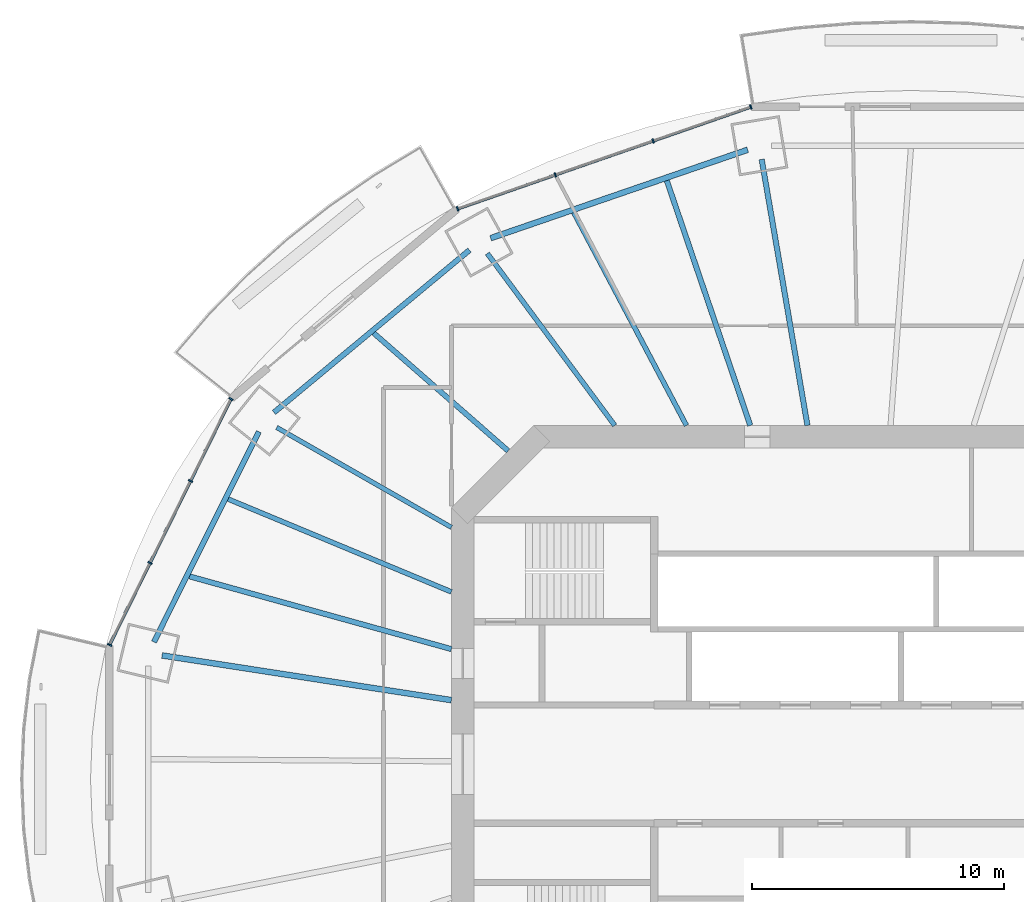
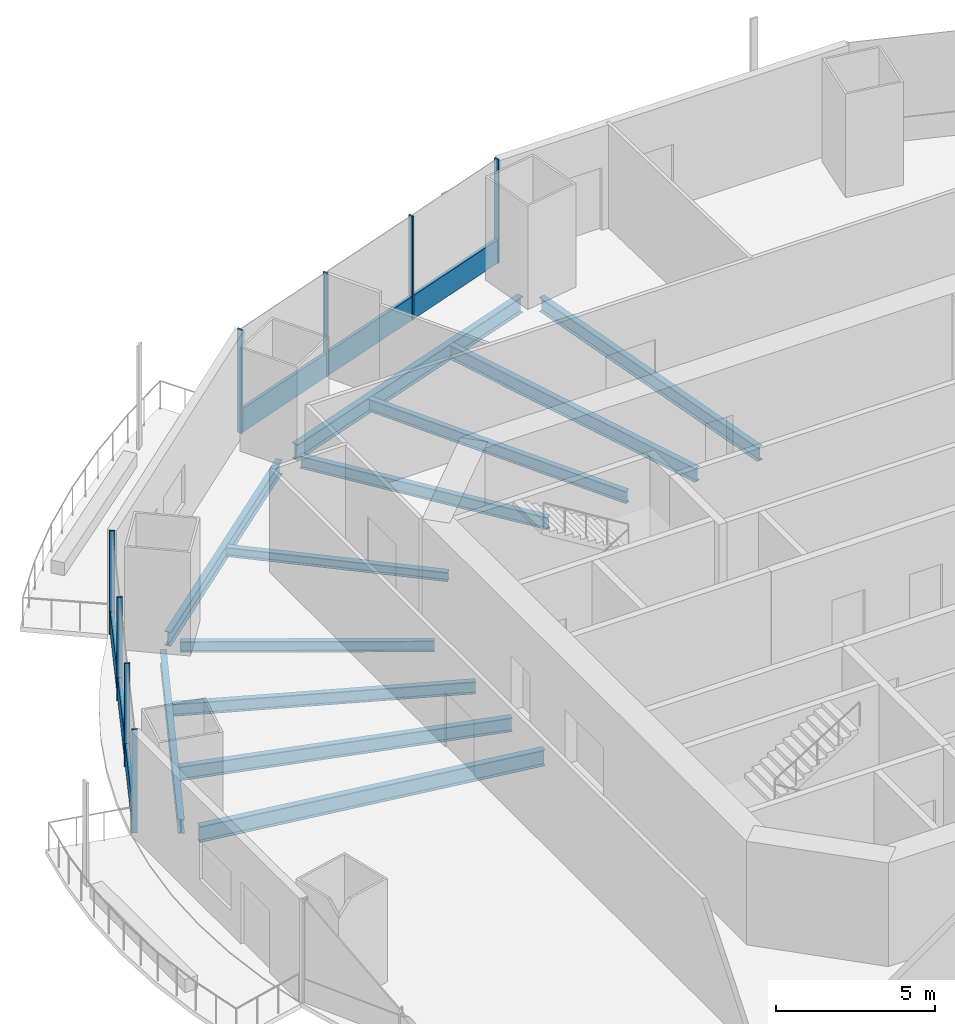
# One storey, part 6 of 20: 12 beams, 10 members, 2 elements without a shape of their own.
"""IFC4 building model written with IfcOpenShell, lengths in metres."""

from ifc_helpers import new_model, si_unit, direction, frame, origin, origin_2d, place, context, subcontext, project, spatial, rectangle, i_section, extrude, material, material_profile, profile_set, type_object, element, aggregate, save


model = new_model("IFC4")

# Units and contexts
model_context = context("Model", 3, precision=1e-05, world=origin(), true_north=direction((0.0, 1.0)))
body_context = subcontext(model_context, "Body", "Model", "MODEL_VIEW")
ifc_project = project(units=[si_unit("LENGTHUNIT", "METRE"), si_unit("AREAUNIT", "SQUARE_METRE"), si_unit("VOLUMEUNIT", "CUBIC_METRE"), si_unit("PLANEANGLEUNIT", "RADIAN"), si_unit("MASSUNIT", "GRAM", prefix="KILO")], contexts=[model_context])

# Site, building, storey
site_placement = place(None, origin())
site = spatial("IfcSite", under=ifc_project, at=site_placement, CompositionType="ELEMENT")
building_placement = place(site_placement, origin())
building = spatial("IfcBuilding", under=site, at=building_placement, Name="Marenthal Gate Tower", CompositionType="ELEMENT")
storey_placement = place(building_placement, frame((0.0, 0.0, 181.800048828125)))
storey = spatial("IfcBuildingStorey", under=building, at=storey_placement, Name="L39", CompositionType="ELEMENT", Elevation=181.800048828125)

# Curtain wall, members
ifc_material_1 = material(Name="Aluminium and glass", Category="aluminium")
curtain_wall_type = type_object("IfcCurtainWallType", Name="Curtain wall typical mid", PredefinedType="NOTDEFINED", material=ifc_material_1)
curtain_wall_1_placement = place(storey_placement, origin())
curtain_wall_1 = element("IfcCurtainWall", 1, at=curtain_wall_1_placement, inside=storey, type_object=curtain_wall_type, Name="Curtain wall L39 bay 5", PredefinedType="NOTDEFINED")
ifc_material_2 = material(Name="Aluminium", Category="aluminium")
ifc_material_profile_1 = material_profile(ifc_material_2, rectangle(XDim=0.179931640625, YDim=0.06005859375, at=origin_2d()), Name="60x180 aluminium mullion")
ifc_profile_set_1 = profile_set([ifc_material_profile_1], Name="Aluminium")
member_type_1 = type_object("IfcMemberType", Name="Mullion 60x180 typical mid", PredefinedType="MULLION", material=ifc_profile_set_1)
member_1_placement = place(storey_placement, frame((-4.560302734375, 26.093017578125, 0.0), z_axis=(0.0, 0.0, 1.0), x_axis=(0.32821091538, -0.944604464856, 0.0)))
member_1 = element("IfcMember", 2, at=member_1_placement, type_object=member_type_1, Name="Mullion L39 bay 5.1", PredefinedType="MULLION", context=body_context, shape_type="SweptSolid", body=[
    extrude(rectangle(XDim=0.179931640625, YDim=0.06005859375, at=origin_2d()), origin(), (0.0, 0.0, 1.0), 3.969970703125),
])
member_2_placement = place(storey_placement, frame((-8.44140625, 24.74462890625, 0.0), z_axis=(0.0, 0.0, 1.0), x_axis=(0.32821091538, -0.944604464856, 0.0)))
member_2 = element("IfcMember", 3, at=member_2_placement, type_object=member_type_1, Name="Mullion L39 bay 5.2", PredefinedType="MULLION", context=body_context, shape_type="SweptSolid", body=[
    extrude(rectangle(XDim=0.179931640625, YDim=0.06005859375, at=origin_2d()), origin(), (0.0, 0.0, 1.0), 3.969970703125),
])
member_3_placement = place(storey_placement, frame((-12.322509765625, 23.39599609375, 0.0), z_axis=(0.0, 0.0, 1.0), x_axis=(0.32821091538, -0.944604464856, 0.0)))
member_3 = element("IfcMember", 4, at=member_3_placement, type_object=member_type_1, Name="Mullion L39 bay 5.3", PredefinedType="MULLION", context=body_context, shape_type="SweptSolid", body=[
    extrude(rectangle(XDim=0.179931640625, YDim=0.06005859375, at=origin_2d()), origin(), (0.0, 0.0, 1.0), 3.969970703125),
])
member_4_placement = place(storey_placement, frame((-16.20361328125, 22.04736328125, 0.0), z_axis=(0.0, 0.0, 1.0), x_axis=(0.32821091538, -0.944604464856, 0.0)))
member_4 = element("IfcMember", 5, at=member_4_placement, type_object=member_type_1, Name="Mullion L39 bay 5.4", PredefinedType="MULLION", context=body_context, shape_type="SweptSolid", body=[
    extrude(rectangle(XDim=0.179931640625, YDim=0.06005859375, at=origin_2d()), origin(), (0.0, 0.0, 1.0), 3.969970703125),
])

curtain_wall_2_placement = place(storey_placement, origin())
curtain_wall_2 = element("IfcCurtainWall", 6, at=curtain_wall_2_placement, inside=storey, type_object=curtain_wall_type, Name="Curtain wall L39 bay 7", PredefinedType="NOTDEFINED")
member_5_placement = place(storey_placement, frame((-25.2001953125, 14.4990234375, 0.0), z_axis=(0.0, 0.0, 1.0), x_axis=(0.89664343149, -0.442753381428, 0.0)))
member_5 = element("IfcMember", 7, at=member_5_placement, type_object=member_type_1, Name="Mullion L39 bay 7.1", PredefinedType="MULLION", context=body_context, shape_type="SweptSolid", body=[
    extrude(rectangle(XDim=0.179931640625, YDim=0.06005859375, at=origin_2d()), origin(), (0.0, 0.0, 1.0), 3.969970703125),
])
member_6_placement = place(storey_placement, frame((-26.806884765625, 11.24560546875, 0.0), z_axis=(0.0, 0.0, 1.0), x_axis=(0.89664343149, -0.442753381428, 0.0)))
member_6 = element("IfcMember", 8, at=member_6_placement, type_object=member_type_1, Name="Mullion L39 bay 7.2", PredefinedType="MULLION", context=body_context, shape_type="SweptSolid", body=[
    extrude(rectangle(XDim=0.179931640625, YDim=0.06005859375, at=origin_2d()), origin(), (0.0, 0.0, 1.0), 3.969970703125),
])
member_7_placement = place(storey_placement, frame((-28.413330078125, 7.991943359375, 0.0), z_axis=(0.0, 0.0, 1.0), x_axis=(0.89664343149, -0.442753381428, 0.0)))
member_7 = element("IfcMember", 9, at=member_7_placement, type_object=member_type_1, Name="Mullion L39 bay 7.3", PredefinedType="MULLION", context=body_context, shape_type="SweptSolid", body=[
    extrude(rectangle(XDim=0.179931640625, YDim=0.06005859375, at=origin_2d()), origin(), (0.0, 0.0, 1.0), 3.969970703125),
])
member_8_placement = place(storey_placement, frame((-30.02001953125, 4.738525390625, 0.0), z_axis=(0.0, 0.0, 1.0), x_axis=(0.89664343149, -0.442753381428, 0.0)))
member_8 = element("IfcMember", 10, at=member_8_placement, type_object=member_type_1, Name="Mullion L39 bay 7.4", PredefinedType="MULLION", context=body_context, shape_type="SweptSolid", body=[
    extrude(rectangle(XDim=0.179931640625, YDim=0.06005859375, at=origin_2d()), origin(), (0.0, 0.0, 1.0), 3.969970703125),
])

# Member
ifc_material_3 = material(Name="Aluminium", Category="aluminium")
ifc_material_profile_2 = material_profile(ifc_material_3, rectangle(XDim=0.1201171875, YDim=0.89990234375, at=origin_2d()), Name="120x900 aluminium transom")
ifc_profile_set_2 = profile_set([ifc_material_profile_2], Name="Aluminium")
member_type_2 = type_object("IfcMemberType", Name="Transom 120x900 typical mid", PredefinedType="USERDEFINED", material=ifc_profile_set_2)
member_9_placement = place(storey_placement, frame((-4.588623046875, 26.083251953125, 0.449951171875), z_axis=(-0.944604688319, -0.328210272243, 0.0), x_axis=(0.328210272243, -0.944604688319, 0.0)))
member_9 = element("IfcMember", 11, at=member_9_placement, type_object=member_type_2, Name="Transom L39 bay 5", ObjectType="TRANSOM", PredefinedType="USERDEFINED", context=body_context, shape_type="SweptSolid", body=[
    extrude(rectangle(XDim=0.1201171875, YDim=0.89990234375, at=origin_2d()), origin(), (0.0, 0.0, 1.0), 12.26611328125),
])

aggregate(curtain_wall_1, [member_1, member_2, member_3, member_4, member_9])

member_10_placement = place(storey_placement, frame((-25.213623046875, 14.47216796875, 0.449951171875), z_axis=(-0.442760838876, -0.896639749039, 0.0), x_axis=(0.896639749039, -0.442760838876, 0.0)))
member_10 = element("IfcMember", 12, at=member_10_placement, type_object=member_type_2, Name="Transom L39 bay 7", ObjectType="TRANSOM", PredefinedType="USERDEFINED", context=body_context, shape_type="SweptSolid", body=[
    extrude(rectangle(XDim=0.1201171875, YDim=0.89990234375, at=origin_2d()), origin(), (0.0, 0.0, 1.0), 10.82568359375),
])

aggregate(curtain_wall_2, [member_5, member_6, member_7, member_8, member_10])

# Beams
ifc_material_4 = material(Name="Steel S355", Category="steel")
ifc_material_profile_3 = material_profile(ifc_material_4, i_section(OverallWidth=0.205078125, OverallDepth=0.35302734375, WebThickness=0.009521484375, FlangeThickness=0.016845703125, FilletRadius=0.014892578125, at=origin_2d()), Name="W360X79")
ifc_profile_set_3 = profile_set([ifc_material_profile_3], Name="Steel S355")
beam_type_1 = type_object("IfcBeamType", Name="W360X79 beam", PredefinedType="BEAM", material=ifc_profile_set_3)
beam_1_placement = place(storey_placement, frame((-19.533203125, 17.115234375, -0.3564453125), z_axis=(0.752145945083, -0.6589965685, 0.0), x_axis=(0.6589965685, 0.752145945083, 0.0)))
element("IfcBeam", 13, at=beam_1_placement, inside=storey, type_object=beam_type_1, Name="BM-L39-25", PredefinedType="BEAM", context=body_context, shape_type="SweptSolid", body=[
    extrude(i_section(OverallWidth=0.205078125, OverallDepth=0.35302734375, WebThickness=0.009521484375, FlangeThickness=0.016845703125, FilletRadius=0.014892578125, at=origin_2d()), origin(), (0.0, 0.0, 1.0), 7.094970703125),
])
ifc_material_5 = material(Name="Steel S355", Category="steel")
ifc_material_profile_4 = material_profile(ifc_material_5, i_section(OverallWidth=0.180908203125, OverallDepth=0.4169921875, WebThickness=0.010986328125, FlangeThickness=0.018310546875, FilletRadius=0.01025390625, at=origin_2d()), Name="W410X85")
ifc_profile_set_4 = profile_set([ifc_material_profile_4], Name="Steel S355")
beam_type_2 = type_object("IfcBeamType", Name="W410X85 beam", PredefinedType="BEAM", material=ifc_profile_set_4)
beam_2_placement = place(storey_placement, frame((-23.38427734375, 13.36865234375, -0.388427734375), z_axis=(0.868141553632, -0.496316675981, 0.0), x_axis=(0.496316675981, 0.868141553632, 0.0)))
element("IfcBeam", 14, at=beam_2_placement, inside=storey, type_object=beam_type_2, Name="BM-L39-07", PredefinedType="BEAM", context=body_context, shape_type="SweptSolid", body=[
    extrude(i_section(OverallWidth=0.180908203125, OverallDepth=0.4169921875, WebThickness=0.010986328125, FlangeThickness=0.018310546875, FilletRadius=0.01025390625, at=origin_2d()), origin(), (0.0, 0.0, 1.0), 7.987548828125),
])
ifc_material_6 = material(Name="Steel S355", Category="steel")
ifc_material_profile_5 = material_profile(ifc_material_6, i_section(OverallWidth=0.193115234375, OverallDepth=0.467041015625, WebThickness=0.011474609375, FlangeThickness=0.01904296875, FilletRadius=0.010009765625, at=origin_2d()), Name="W460X97")
ifc_profile_set_5 = profile_set([ifc_material_profile_5], Name="Steel S355")
beam_type_3 = type_object("IfcBeamType", Name="W460X97 beam", PredefinedType="BEAM", material=ifc_profile_set_5)
beam_3_placement = place(storey_placement, frame((-15.021484375, 20.274658203125, -0.41357421875), z_axis=(0.595307973616, -0.803497614526, 0.0), x_axis=(0.803497614526, 0.595307973616, 0.0)))
element("IfcBeam", 15, at=beam_3_placement, inside=storey, type_object=beam_type_3, Name="BM-L39-06", PredefinedType="BEAM", context=body_context, shape_type="SweptSolid", body=[
    extrude(i_section(OverallWidth=0.193115234375, OverallDepth=0.467041015625, WebThickness=0.011474609375, FlangeThickness=0.01904296875, FilletRadius=0.010009765625, at=origin_2d()), origin(), (0.0, 0.0, 1.0), 8.49365234375),
])
beam_4_placement = place(storey_placement, frame((-11.58984375, 21.89794921875, -0.41357421875), z_axis=(0.4677832695, -0.883843205991, 0.0), x_axis=(0.883843205991, 0.4677832695, 0.0)))
element("IfcBeam", 16, at=beam_4_placement, inside=storey, type_object=beam_type_3, Name="BM-L39-24", PredefinedType="BEAM", context=body_context, shape_type="SweptSolid", body=[
    extrude(i_section(OverallWidth=0.193115234375, OverallDepth=0.467041015625, WebThickness=0.011474609375, FlangeThickness=0.01904296875, FilletRadius=0.010009765625, at=origin_2d()), origin(), (0.0, 0.0, 1.0), 9.558349609375),
])
beam_5_placement = place(storey_placement, frame((-25.31201171875, 10.52587890625, -0.41357421875), z_axis=(0.923343865931, -0.383974094499, 0.0), x_axis=(0.383974094499, 0.923343865931, 0.0)))
element("IfcBeam", 17, at=beam_5_placement, inside=storey, type_object=beam_type_3, Name="BM-L39-26", PredefinedType="BEAM", context=body_context, shape_type="SweptSolid", body=[
    extrude(i_section(OverallWidth=0.193115234375, OverallDepth=0.467041015625, WebThickness=0.011474609375, FlangeThickness=0.01904296875, FilletRadius=0.010009765625, at=origin_2d()), origin(), (0.0, 0.0, 1.0), 9.597900390625),
])
ifc_material_7 = material(Name="Steel S355", Category="steel")
ifc_material_profile_6 = material_profile(ifc_material_7, i_section(OverallWidth=0.2099609375, OverallDepth=0.535888671875, WebThickness=0.010986328125, FlangeThickness=0.017333984375, FilletRadius=0.0126953125, at=origin_2d()), Name="W530X101")
ifc_profile_set_6 = profile_set([ifc_material_profile_6], Name="Steel S355")
beam_type_4 = type_object("IfcBeamType", Name="W530X101 beam", PredefinedType="BEAM", material=ifc_profile_set_6)
beam_6_placement = place(storey_placement, frame((-7.89697265625, 23.16845703125, -0.447998046875), z_axis=(0.32261921926, -0.946528837048, 0.0), x_axis=(0.946528837048, 0.32261921926, 0.0)))
element("IfcBeam", 18, at=beam_6_placement, inside=storey, type_object=beam_type_4, Name="BM-L39-23", PredefinedType="BEAM", context=body_context, shape_type="SweptSolid", body=[
    extrude(i_section(OverallWidth=0.2099609375, OverallDepth=0.535888671875, WebThickness=0.010986328125, FlangeThickness=0.017333984375, FilletRadius=0.0126953125, at=origin_2d()), origin(), (0.0, 0.0, 1.0), 10.267578125),
])
beam_7_placement = place(storey_placement, frame((-26.8427734375, 7.4560546875, -0.447998046875), z_axis=(0.963522125079, -0.267628687706, 0.0), x_axis=(0.267628687706, 0.963522125079, 0.0)))
element("IfcBeam", 19, at=beam_7_placement, inside=storey, type_object=beam_type_4, Name="BM-L39-27", PredefinedType="BEAM", context=body_context, shape_type="SweptSolid", body=[
    extrude(i_section(OverallWidth=0.2099609375, OverallDepth=0.535888671875, WebThickness=0.010986328125, FlangeThickness=0.017333984375, FilletRadius=0.0126953125, at=origin_2d()), origin(), (0.0, 0.0, 1.0), 10.786376953125),
])
ifc_material_8 = material(Name="Steel S355", Category="steel")
ifc_material_profile_7 = material_profile(ifc_material_8, i_section(OverallWidth=0.2119140625, OverallDepth=0.5439453125, WebThickness=0.01318359375, FlangeThickness=0.021240234375, FilletRadius=0.0126953125, at=origin_2d()), Name="W530X123")
ifc_profile_set_7 = profile_set([ifc_material_profile_7], Name="Steel S355")
beam_type_5 = type_object("IfcBeamType", Name="W530X123 beam", PredefinedType="BEAM", material=ifc_profile_set_7)
beam_8_placement = place(storey_placement, frame((-4.130615234375, 24.01123046875, -0.4521484375), z_axis=(0.169542999371, -0.98552279089, 0.0), x_axis=(0.98552279089, 0.169542999371, 0.0)))
element("IfcBeam", 20, at=beam_8_placement, inside=storey, type_object=beam_type_5, Name="BM-L39-05", PredefinedType="BEAM", context=body_context, shape_type="SweptSolid", body=[
    extrude(i_section(OverallWidth=0.2119140625, OverallDepth=0.5439453125, WebThickness=0.01318359375, FlangeThickness=0.021240234375, FilletRadius=0.0126953125, at=origin_2d()), origin(), (0.0, 0.0, 1.0), 10.71630859375),
])
beam_9_placement = place(storey_placement, frame((-15.73291015625, 20.409423828125, -0.4521484375), z_axis=(-0.769263759488, -0.638931348689, 0.0), x_axis=(0.638931348689, -0.769263759488, 0.0)))
element("IfcBeam", 21, at=beam_9_placement, inside=storey, type_object=beam_type_5, Name="BM-L39-46", PredefinedType="BEAM", context=body_context, shape_type="SweptSolid", body=[
    extrude(i_section(OverallWidth=0.2119140625, OverallDepth=0.5439453125, WebThickness=0.01318359375, FlangeThickness=0.021240234375, FilletRadius=0.0126953125, at=origin_2d()), origin(), (0.0, 0.0, 1.0), 10.087158203125),
])
beam_10_placement = place(storey_placement, frame((-24.095703125, 13.202392578125, -0.4521484375), z_axis=(-0.446271515311, -0.894897611251, 0.0), x_axis=(0.894897611251, -0.446271515311, 0.0)))
element("IfcBeam", 22, at=beam_10_placement, inside=storey, type_object=beam_type_5, Name="BM-L39-47", PredefinedType="BEAM", context=body_context, shape_type="SweptSolid", body=[
    extrude(i_section(OverallWidth=0.2119140625, OverallDepth=0.5439453125, WebThickness=0.01318359375, FlangeThickness=0.021240234375, FilletRadius=0.0126953125, at=origin_2d()), origin(), (0.0, 0.0, 1.0), 9.331787109375),
])
ifc_material_9 = material(Name="Steel S355", Category="steel")
ifc_material_profile_8 = material_profile(ifc_material_9, i_section(OverallWidth=0.22900390625, OverallDepth=0.612060546875, WebThickness=0.011962890625, FlangeThickness=0.01953125, FilletRadius=0.0126953125, at=origin_2d()), Name="W610X125")
ifc_profile_set_8 = profile_set([ifc_material_profile_8], Name="Steel S355")
beam_type_6 = type_object("IfcBeamType", Name="W610X125 beam", PredefinedType="BEAM", material=ifc_profile_set_8)
beam_11_placement = place(storey_placement, frame((-27.936767578125, 4.318603515625, -0.486083984375), z_axis=(0.988262414361, -0.152765835062, 0.0), x_axis=(0.152765835062, 0.988262414361, 0.0)))
element("IfcBeam", 23, at=beam_11_placement, inside=storey, type_object=beam_type_6, Name="BM-L39-08", PredefinedType="BEAM", context=body_context, shape_type="SweptSolid", body=[
    extrude(i_section(OverallWidth=0.22900390625, OverallDepth=0.612060546875, WebThickness=0.011962890625, FlangeThickness=0.01953125, FilletRadius=0.0126953125, at=origin_2d()), origin(), (0.0, 0.0, 1.0), 11.623291015625),
])
beam_12_placement = place(storey_placement, frame((-4.68603515625, 24.394287109375, -0.486083984375), z_axis=(-0.945598979252, -0.325334551559, 0.0), x_axis=(0.325334551559, -0.945598979252, 0.0)))
element("IfcBeam", 24, at=beam_12_placement, inside=storey, type_object=beam_type_6, Name="BM-L39-45", PredefinedType="BEAM", context=body_context, shape_type="SweptSolid", body=[
    extrude(i_section(OverallWidth=0.22900390625, OverallDepth=0.612060546875, WebThickness=0.011962890625, FlangeThickness=0.01953125, FilletRadius=0.0126953125, at=origin_2d()), origin(), (0.0, 0.0, 1.0), 10.7919921875),
])

save(model, "model.ifc")
